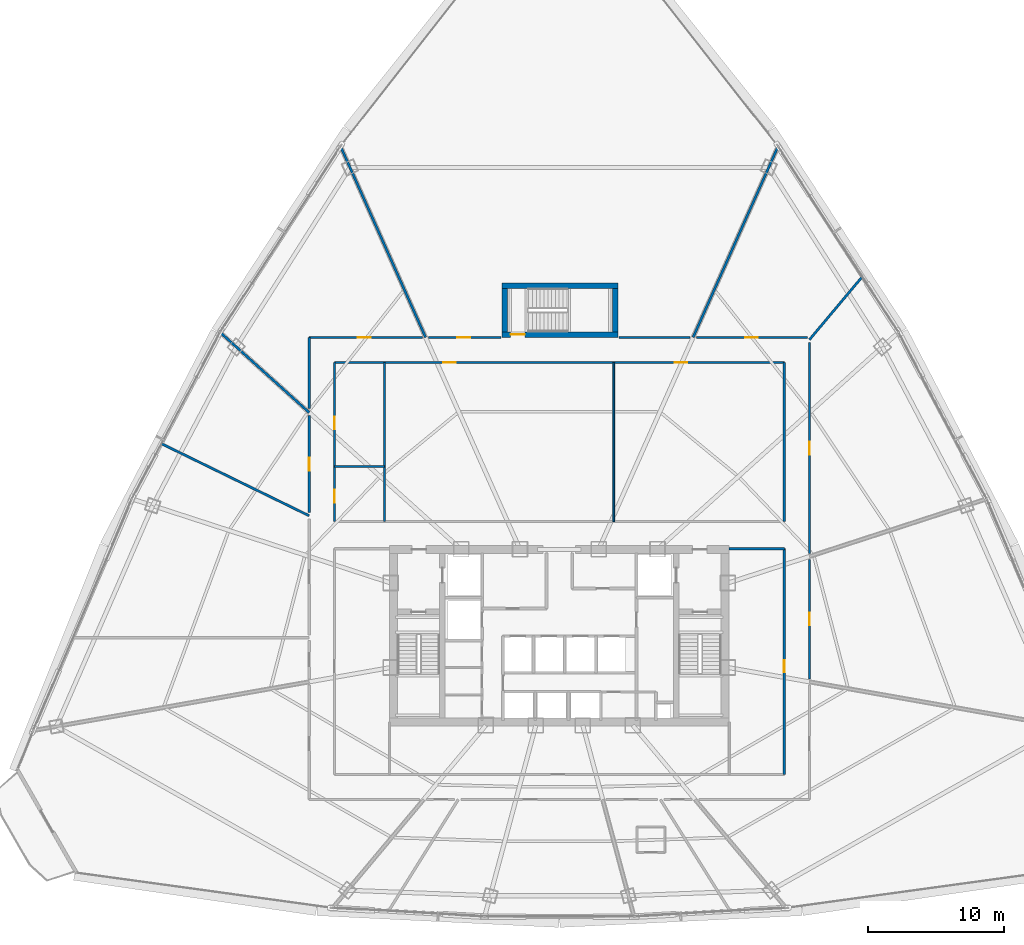
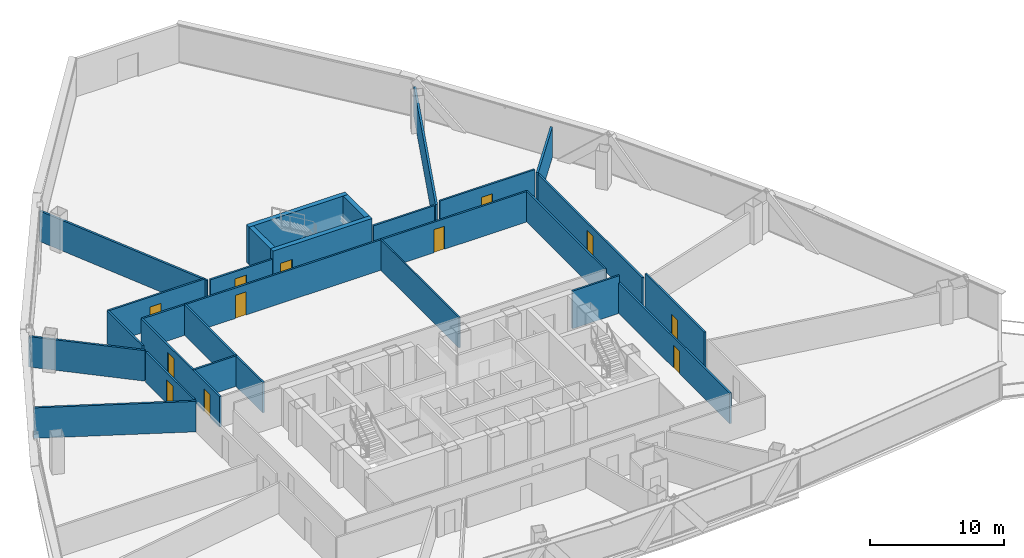
# One storey, part 34 of 39: 25 walls, 12 doors, 12 openings.
"""IFC4 building model written with IfcOpenShell, lengths in metres."""

from ifc_helpers import new_model, si_unit, direction, frame, frame_2d, origin, origin_with_axes, place, context, subcontext, project, spatial, rectangle, extrude, source, transform, mapped, material, layer, layer_set, type_object, element, fill, save


model = new_model("IFC4")

# Units and contexts
model_context = context("Model", 3, precision=1e-05, world=origin(), true_north=direction((0.0, 1.0)))
body_context = subcontext(model_context, "Body", "Model", "MODEL_VIEW")
ifc_project = project(units=[si_unit("LENGTHUNIT", "METRE"), si_unit("AREAUNIT", "SQUARE_METRE"), si_unit("VOLUMEUNIT", "CUBIC_METRE"), si_unit("PLANEANGLEUNIT", "RADIAN"), si_unit("MASSUNIT", "GRAM", prefix="KILO"), si_unit("THERMODYNAMICTEMPERATUREUNIT", "KELVIN"), si_unit("POWERUNIT", "WATT")], contexts=[model_context])

# Site, building, storey
site_placement = place(None, origin())
site = spatial("IfcSite", under=ifc_project, at=site_placement, CompositionType="ELEMENT")
building_placement = place(site_placement, origin())
building = spatial("IfcBuilding", under=site, at=building_placement, Name="Yunzhuo Pagoda Commons", CompositionType="ELEMENT")
storey_placement = place(building_placement, frame((0.0, 0.0, 140.8701171875)))
storey = spatial("IfcBuildingStorey", under=building, at=storey_placement, Name="L35", CompositionType="ELEMENT", Elevation=140.8701171875)

# Wall, openings, doors
ifc_material_1 = material(Name="Gypsum plasterboard on acoustic stud")
ifc_layer_1 = layer(ifc_material_1, 0.155029296875)
ifc_layer_set_1 = layer_set([ifc_layer_1], Name="Gypsum plasterboard on acoustic stud")
wall_type_1 = type_object("IfcWallType", Name="W-COR2 Mid-Zone Rated Corridor Wall 155", PredefinedType="PARTITIONING", material=ifc_layer_set_1)
wall_1_placement = place(storey_placement, frame((31.449951171875, 53.949951171875, 0.0), z_axis=(0.0, 0.0, 1.0), x_axis=(1.0, 0.0, 0.0)))
wall_1 = element("IfcWall", 1, at=wall_1_placement, inside=storey, type_object=wall_type_1, Name="L35 interior wall IW-L35-MCNN", PredefinedType="PARTITIONING", context=body_context, shape_type="SweptSolid", body=[
    extrude(rectangle(XDim=33.10009765625, YDim=0.155029296875, at=frame_2d((16.550048828125, 0.0))), origin(), (0.0, 0.0, 1.0), 2.769775390625),
])
opening_1_placement = place(wall_1_placement, frame((8.0, 0.0, 0.0)))
opening_1 = element("IfcOpeningElement", 2, at=opening_1_placement, cuts=wall_1, Name="Opening D-04", PredefinedType="OPENING", context=body_context, shape_type="SweptSolid", body=[
    extrude(rectangle(XDim=0.919921875, YDim=2.10009765625, at=frame_2d((0.4599609375, 1.050048828125))), frame((0.0, 0.08740234375, 0.0), z_axis=(0.0, -1.0, 0.0), x_axis=(1.0, 0.0, 0.0)), (0.0, 0.0, 1.0), 0.175048828125),
])
opening_2_placement = place(wall_1_placement, frame((25.050048828125, 0.0, 0.0)))
opening_2 = element("IfcOpeningElement", 3, at=opening_2_placement, cuts=wall_1, Name="Opening D-04", PredefinedType="OPENING", context=body_context, shape_type="SweptSolid", body=[
    extrude(rectangle(XDim=0.919921875, YDim=2.10009765625, at=frame_2d((0.4599609375, 1.050048828125))), frame((0.0, 0.08740234375, 0.0), z_axis=(0.0, -1.0, 0.0), x_axis=(1.0, 0.0, 0.0)), (0.0, 0.0, 1.0), 0.175048828125),
])
ifc_material_2 = material(Name="Powder-coated aluminium and timber acoustic leaf", Category="wood")
door_type_1 = type_object("IfcDoorType", Name="D-04 Bedroom & Study Interior Door 920x2100", OperationType="NOTDEFINED", PredefinedType="DOOR", material=ifc_material_2)
shared_shape_1 = source(origin(), body_context, "Body", "SweptSolid", [
    extrude(rectangle(XDim=0.919921875, YDim=2.10009765625, at=frame_2d((0.4599609375, 1.050048828125))), frame((0.0, 0.02490234375, 0.0), z_axis=(0.0, -1.0, 0.0), x_axis=(1.0, 0.0, 0.0)), (0.0, 0.0, 1.0), 0.050048828125),
])
door_1_placement = place(opening_1_placement, origin_with_axes())
door_1 = element("IfcDoor", 4, at=door_1_placement, inside=storey, type_object=door_type_1, Name="L35 reading commons door", OperationType="SINGLE_SWING_LEFT", OverallHeight=2.10009765625, OverallWidth=0.919921875, PredefinedType="DOOR", context=body_context, shape_type="MappedRepresentation", body=[
    mapped(shared_shape_1, transform((0.0, 0.0, 0.0), scale=1.0)),
])
fill(opening_1, door_1)
door_2_placement = place(opening_2_placement, origin_with_axes())
door_2 = element("IfcDoor", 5, at=door_2_placement, inside=storey, type_object=door_type_1, Name="L35 seminar commons door", OperationType="SINGLE_SWING_RIGHT", OverallHeight=2.10009765625, OverallWidth=0.919921875, PredefinedType="DOOR", context=body_context, shape_type="MappedRepresentation", body=[
    mapped(shared_shape_1, transform((0.0, 0.0, 0.0), scale=1.0)),
])
fill(opening_2, door_2)

wall_2_placement = place(storey_placement, frame((31.449951171875, 42.25, 0.0), z_axis=(0.0, 0.0, 1.0), x_axis=(0.0, 1.0, 0.0)))
wall_2 = element("IfcWall", 6, at=wall_2_placement, inside=storey, type_object=wall_type_1, Name="L35 interior wall IW-L35-MCNW", PredefinedType="PARTITIONING", context=body_context, shape_type="SweptSolid", body=[
    extrude(rectangle(XDim=11.699951171875, YDim=0.155029296875, at=frame_2d((5.85009765625, 0.0))), origin(), (0.0, 0.0, 1.0), 2.769775390625),
])
opening_3_placement = place(wall_2_placement, frame((1.39990234375, 0.0, 0.0)))
opening_3 = element("IfcOpeningElement", 7, at=opening_3_placement, cuts=wall_2, Name="Opening D-11", PredefinedType="OPENING", context=body_context, shape_type="SweptSolid", body=[
    extrude(rectangle(XDim=0.93994140625, YDim=2.10009765625, at=frame_2d((0.469970703125, 1.050048828125))), frame((0.0, 0.08740234375, 0.0), z_axis=(0.0, -1.0, 0.0), x_axis=(1.0, 0.0, 0.0)), (0.0, 0.0, 1.0), 0.175048828125),
])
opening_4_placement = place(wall_2_placement, frame((6.800048828125, 0.0, 0.0)))
opening_4 = element("IfcOpeningElement", 8, at=opening_4_placement, cuts=wall_2, Name="Opening D-04", PredefinedType="OPENING", context=body_context, shape_type="SweptSolid", body=[
    extrude(rectangle(XDim=0.919921875, YDim=2.10009765625, at=frame_2d((0.4599609375, 1.050048828125))), frame((0.0, 0.08740234375, 0.0), z_axis=(0.0, -1.0, 0.0), x_axis=(1.0, 0.0, 0.0)), (0.0, 0.0, 1.0), 0.175048828125),
])
ifc_material_3 = material(Name="Galvanized fire-resisting metal leaf")
door_type_2 = type_object("IfcDoorType", Name="D-11 Accessible Washroom Fire Door 940x2100", OperationType="NOTDEFINED", PredefinedType="DOOR", material=ifc_material_3)
shared_shape_2 = source(origin(), body_context, "Body", "SweptSolid", [
    extrude(rectangle(XDim=0.93994140625, YDim=2.10009765625, at=frame_2d((0.469970703125, 1.050048828125))), frame((0.0, 0.02490234375, 0.0), z_axis=(0.0, -1.0, 0.0), x_axis=(1.0, 0.0, 0.0)), (0.0, 0.0, 1.0), 0.050048828125),
])
door_3_placement = place(opening_3_placement, origin_with_axes())
door_3 = element("IfcDoor", 9, at=door_3_placement, inside=storey, type_object=door_type_2, Name="L35 accessible WC door", OperationType="SINGLE_SWING_LEFT", OverallHeight=2.10009765625, OverallWidth=0.93994140625, PredefinedType="DOOR", context=body_context, shape_type="MappedRepresentation", body=[
    mapped(shared_shape_2, transform((0.0, 0.0, 0.0), scale=1.0)),
])
fill(opening_3, door_3)
door_4_placement = place(opening_4_placement, origin_with_axes())
door_4 = element("IfcDoor", 10, at=door_4_placement, inside=storey, type_object=door_type_1, Name="L35 laundry door", OperationType="SINGLE_SWING_RIGHT", OverallHeight=2.10009765625, OverallWidth=0.919921875, PredefinedType="DOOR", context=body_context, shape_type="MappedRepresentation", body=[
    mapped(shared_shape_1, transform((0.0, 0.0, 0.0), scale=1.0)),
])
fill(opening_4, door_4)

# Walls
for number, where, z_axis, x_axis, name in (
    (11, (64.550048828125, 42.25, 0.0), (0.0, 0.0, 1.0), (0.0, 1.0, 0.0), "L35 interior wall IW-L35-MCNE"),
    (12, (35.14990234375, 42.25, 0.0), (0.0, 0.0, 1.0), (0.0, 1.0, 0.0), "L35 interior wall IW-L35-MCWCE"),
):
    element("IfcWall", number, at=place(storey_placement, frame(where, z_axis=z_axis, x_axis=x_axis)), inside=storey, type_object=wall_type_1, Name=name, PredefinedType="PARTITIONING", context=body_context, shape_type="SweptSolid", body=[
        extrude(rectangle(XDim=11.699951171875, YDim=0.155029296875, at=frame_2d((5.85009765625, 0.0))), origin(), (0.0, 0.0, 1.0), 2.769775390625),
    ])
wall_3_placement = place(storey_placement, frame((31.449951171875, 46.300048828125, 0.0), z_axis=(0.0, 0.0, 1.0), x_axis=(1.0, 0.0, 0.0)))
element("IfcWall", 13, at=wall_3_placement, inside=storey, type_object=wall_type_1, Name="L35 interior wall IW-L35-MCWCN", PredefinedType="PARTITIONING", context=body_context, shape_type="SweptSolid", body=[
    extrude(rectangle(XDim=3.699951171875, YDim=0.155029296875, at=frame_2d((1.85009765625, 0.0))), origin(), (0.0, 0.0, 1.0), 2.769775390625),
])

# Wall, opening, door
wall_4_placement = place(storey_placement, frame((64.550048828125, 23.64990234375, 0.0), z_axis=(0.0, 0.0, 1.0), x_axis=(0.0, 1.0, 0.0)))
wall_4 = element("IfcWall", 14, at=wall_4_placement, inside=storey, type_object=wall_type_1, Name="L35 interior wall IW-L35-SFLE", PredefinedType="PARTITIONING", context=body_context, shape_type="SweptSolid", body=[
    extrude(rectangle(XDim=16.60009765625, YDim=0.155029296875, at=frame_2d((8.300048828125, 0.0))), origin(), (0.0, 0.0, 1.0), 2.769775390625),
])
opening_5_placement = place(wall_4_placement, frame((7.5, 0.0, 0.0)))
opening_5 = element("IfcOpeningElement", 15, at=opening_5_placement, cuts=wall_4, Name="Opening D-12", PredefinedType="OPENING", context=body_context, shape_type="SweptSolid", body=[
    extrude(rectangle(XDim=0.89990234375, YDim=2.080078125, at=frame_2d((0.449951171875, 1.0400390625))), frame((0.0, 0.08740234375, 0.0), z_axis=(0.0, -1.0, 0.0), x_axis=(1.0, 0.0, 0.0)), (0.0, 0.0, 1.0), 0.175048828125),
])
door_type_3 = type_object("IfcDoorType", Name="D-12 Quiet Study Interior Door 900x2080", OperationType="NOTDEFINED", PredefinedType="DOOR", material=ifc_material_2)
shared_shape_3 = source(origin(), body_context, "Body", "SweptSolid", [
    extrude(rectangle(XDim=0.89990234375, YDim=2.080078125, at=frame_2d((0.449951171875, 1.0400390625))), frame((0.0, 0.02490234375, 0.0), z_axis=(0.0, -1.0, 0.0), x_axis=(1.0, 0.0, 0.0)), (0.0, 0.0, 1.0), 0.050048828125),
])
door_5_placement = place(opening_5_placement, frame((0.89990234375, 0.0, 0.0), z_axis=(0.0, 0.0, 1.0), x_axis=(-1.0, 0.0, 0.0)))
door_5 = element("IfcDoor", 16, at=door_5_placement, inside=storey, type_object=door_type_3, Name="L35 east study workroom door", OperationType="SINGLE_SWING_RIGHT", OverallHeight=2.080078125, OverallWidth=0.89990234375, PredefinedType="DOOR", context=body_context, shape_type="MappedRepresentation", body=[
    mapped(shared_shape_3, transform((0.0, 0.0, 0.0), scale=1.0)),
])
fill(opening_5, door_5)

# Wall
wall_5_placement = place(storey_placement, frame((60.5, 40.25, 0.0), z_axis=(0.0, 0.0, 1.0), x_axis=(1.0, 0.0, 0.0)))
element("IfcWall", 17, at=wall_5_placement, inside=storey, type_object=wall_type_1, Name="L35 interior wall IW-L35-SFLNE", PredefinedType="PARTITIONING", context=body_context, shape_type="SweptSolid", body=[
    extrude(rectangle(XDim=4.050048828125, YDim=0.155029296875, at=frame_2d((2.02490234375, 0.0))), origin(), (0.0, 0.0, 1.0), 3.419921875),
])

# Wall, opening, door
wall_6_placement = place(storey_placement, frame((29.60009765625, 42.919189453125, 0.0), z_axis=(0.0, 0.0, 1.0), x_axis=(0.0, 1.0, 0.0)))
wall_6 = element("IfcWall", 18, at=wall_6_placement, inside=storey, type_object=wall_type_1, Name="L35 interior wall IW-L35-CWL04", PredefinedType="PARTITIONING", context=body_context, shape_type="SweptSolid", body=[
    extrude(rectangle(XDim=7.12841796875, YDim=0.155029296875, at=frame_2d((3.564208984375, 0.0))), origin(), (0.0, 0.0, 1.0), 2.769775390625),
])
opening_6_placement = place(wall_6_placement, frame((3.07666015625, 0.0, 0.0)))
opening_6 = element("IfcOpeningElement", 19, at=opening_6_placement, cuts=wall_6, Name="Opening D-07", PredefinedType="OPENING", context=body_context, shape_type="SweptSolid", body=[
    extrude(rectangle(XDim=0.9599609375, YDim=2.1201171875, at=frame_2d((0.47998046875, 1.06005859375))), frame((0.0, 0.08740234375, 0.0), z_axis=(0.0, -1.0, 0.0), x_axis=(1.0, 0.0, 0.0)), (0.0, 0.0, 1.0), 0.175048828125),
])
door_type_4 = type_object("IfcDoorType", Name="D-07 Mid-Zone Suite Entrance Fire Door 960x2120", OperationType="NOTDEFINED", PredefinedType="DOOR", material=ifc_material_3)
shared_shape_4 = source(origin(), body_context, "Body", "SweptSolid", [
    extrude(rectangle(XDim=0.9599609375, YDim=2.1201171875, at=frame_2d((0.47998046875, 1.06005859375))), frame((0.0, 0.02490234375, 0.0), z_axis=(0.0, -1.0, 0.0), x_axis=(1.0, 0.0, 0.0)), (0.0, 0.0, 1.0), 0.050048828125),
])
door_6_placement = place(opening_6_placement, origin_with_axes())
door_6 = element("IfcDoor", 20, at=door_6_placement, inside=storey, type_object=door_type_4, Name="L35 unit 06 entrance door", OperationType="SINGLE_SWING_LEFT", OverallHeight=2.1201171875, OverallWidth=0.9599609375, PredefinedType="DOOR", context=body_context, shape_type="MappedRepresentation", body=[
    mapped(shared_shape_4, transform((0.0, 0.0, 0.0), scale=1.0)),
])
fill(opening_6, door_6)

# Wall
wall_7_placement = place(storey_placement, frame((29.60009765625, 50.5634765625, 0.0), z_axis=(0.0, 0.0, 1.0), x_axis=(0.0, 1.0, 0.0)))
element("IfcWall", 21, at=wall_7_placement, inside=storey, type_object=wall_type_1, Name="L35 interior wall IW-L35-CWL05", PredefinedType="PARTITIONING", context=body_context, shape_type="SweptSolid", body=[
    extrude(rectangle(XDim=5.236572265625, YDim=0.155029296875, at=frame_2d((2.6181640625, 0.0))), origin(), (0.0, 0.0, 1.0), 3.019775390625),
])

# Wall, opening, door
wall_8_placement = place(storey_placement, frame((29.60009765625, 55.800048828125, 0.0), z_axis=(0.0, 0.0, 1.0), x_axis=(1.0, 0.0, 0.0)))
wall_8 = element("IfcWall", 22, at=wall_8_placement, inside=storey, type_object=wall_type_1, Name="L35 interior wall IW-L35-CWL06", PredefinedType="PARTITIONING", context=body_context, shape_type="SweptSolid", body=[
    extrude(rectangle(XDim=8.319580078125, YDim=0.155029296875, at=frame_2d((4.15966796875, 0.0))), origin(), (0.0, 0.0, 1.0), 3.019775390625),
])
opening_7_placement = place(wall_8_placement, frame((3.5751953125, 0.0, 0.0)))
opening_7 = element("IfcOpeningElement", 23, at=opening_7_placement, cuts=wall_8, Name="Opening D-07", PredefinedType="OPENING", context=body_context, shape_type="SweptSolid", body=[
    extrude(rectangle(XDim=0.9599609375, YDim=2.1201171875, at=frame_2d((0.47998046875, 1.06005859375))), frame((0.0, 0.08740234375, 0.0), z_axis=(0.0, -1.0, 0.0), x_axis=(1.0, 0.0, 0.0)), (0.0, 0.0, 1.0), 0.175048828125),
])
door_7_placement = place(opening_7_placement, origin_with_axes())
door_7 = element("IfcDoor", 24, at=door_7_placement, inside=storey, type_object=door_type_4, Name="L35 unit 05 entrance door", OperationType="SINGLE_SWING_RIGHT", OverallHeight=2.1201171875, OverallWidth=0.9599609375, PredefinedType="DOOR", context=body_context, shape_type="MappedRepresentation", body=[
    mapped(shared_shape_4, transform((0.0, 0.0, 0.0), scale=1.0)),
])
fill(opening_7, door_7)

wall_9_placement = place(storey_placement, frame((38.380126953125, 55.800048828125, 0.0), z_axis=(0.0, 0.0, 1.0), x_axis=(1.0, 0.0, 0.0)))
wall_9 = element("IfcWall", 25, at=wall_9_placement, inside=storey, type_object=wall_type_1, Name="L35 interior wall IW-L35-CWL07", PredefinedType="PARTITIONING", context=body_context, shape_type="SweptSolid", body=[
    extrude(rectangle(XDim=5.328857421875, YDim=0.155029296875, at=frame_2d((2.66455078125, 0.0))), origin(), (0.0, 0.0, 1.0), 2.769775390625),
])
opening_8_placement = place(wall_9_placement, frame((2.114990234375, 0.0, 0.0)))
opening_8 = element("IfcOpeningElement", 26, at=opening_8_placement, cuts=wall_9, Name="Opening D-07", PredefinedType="OPENING", context=body_context, shape_type="SweptSolid", body=[
    extrude(rectangle(XDim=0.9599609375, YDim=2.1201171875, at=frame_2d((0.47998046875, 1.06005859375))), frame((0.0, 0.08740234375, 0.0), z_axis=(0.0, -1.0, 0.0), x_axis=(1.0, 0.0, 0.0)), (0.0, 0.0, 1.0), 0.175048828125),
])
door_8_placement = place(opening_8_placement, origin_with_axes())
door_8 = element("IfcDoor", 27, at=door_8_placement, inside=storey, type_object=door_type_4, Name="L35 unit 04 entrance door", OperationType="SINGLE_SWING_LEFT", OverallHeight=2.1201171875, OverallWidth=0.9599609375, PredefinedType="DOOR", context=body_context, shape_type="MappedRepresentation", body=[
    mapped(shared_shape_4, transform((0.0, 0.0, 0.0), scale=1.0)),
])
fill(opening_8, door_8)

# Wall
wall_10_placement = place(storey_placement, frame((52.39111328125, 55.800048828125, 0.0), z_axis=(0.0, 0.0, 1.0), x_axis=(1.0, 0.0, 0.0)))
element("IfcWall", 28, at=wall_10_placement, inside=storey, type_object=wall_type_1, Name="L35 interior wall IW-L35-CWL08", PredefinedType="PARTITIONING", context=body_context, shape_type="SweptSolid", body=[
    extrude(rectangle(XDim=5.228759765625, YDim=0.155029296875, at=frame_2d((2.6142578125, 0.0))), origin(), (0.0, 0.0, 1.0), 2.769775390625),
])

# Wall, opening, door
wall_11_placement = place(storey_placement, frame((58.080322265625, 55.800048828125, 0.0), z_axis=(0.0, 0.0, 1.0), x_axis=(1.0, 0.0, 0.0)))
wall_11 = element("IfcWall", 29, at=wall_11_placement, inside=storey, type_object=wall_type_1, Name="L35 interior wall IW-L35-CWL09", PredefinedType="PARTITIONING", context=body_context, shape_type="SweptSolid", body=[
    extrude(rectangle(XDim=8.176513671875, YDim=0.155029296875, at=frame_2d((4.08837890625, 0.0))), origin(), (0.0, 0.0, 1.0), 3.019775390625),
])
opening_9_placement = place(wall_11_placement, frame((3.59619140625, 0.0, 0.0)))
opening_9 = element("IfcOpeningElement", 30, at=opening_9_placement, cuts=wall_11, Name="Opening D-04", PredefinedType="OPENING", context=body_context, shape_type="SweptSolid", body=[
    extrude(rectangle(XDim=0.919921875, YDim=2.10009765625, at=frame_2d((0.4599609375, 1.050048828125))), frame((0.0, 0.08740234375, 0.0), z_axis=(0.0, -1.0, 0.0), x_axis=(1.0, 0.0, 0.0)), (0.0, 0.0, 1.0), 0.175048828125),
])
door_9_placement = place(opening_9_placement, origin_with_axes())
door_9 = element("IfcDoor", 31, at=door_9_placement, inside=storey, type_object=door_type_1, Name="L35 seminar room 03 door", OperationType="SINGLE_SWING_RIGHT", OverallHeight=2.10009765625, OverallWidth=0.919921875, PredefinedType="DOOR", context=body_context, shape_type="MappedRepresentation", body=[
    mapped(shared_shape_1, transform((0.0, 0.0, 0.0), scale=1.0)),
])
fill(opening_9, door_9)

wall_12_placement = place(storey_placement, frame((66.39990234375, 55.408447265625, 0.0), z_axis=(0.0, 0.0, 1.0), x_axis=(0.0, -1.0, 0.0)))
wall_12 = element("IfcWall", 32, at=wall_12_placement, inside=storey, type_object=wall_type_1, Name="L35 interior wall IW-L35-CWL10", PredefinedType="PARTITIONING", context=body_context, shape_type="SweptSolid", body=[
    extrude(rectangle(XDim=15.49853515625, YDim=0.155029296875, at=frame_2d((7.749267578125, 0.0))), origin(), (0.0, 0.0, 1.0), 2.769775390625),
])
opening_10_placement = place(wall_12_placement, frame((7.280029296875, 0.0, 0.0)))
opening_10 = element("IfcOpeningElement", 33, at=opening_10_placement, cuts=wall_12, Name="Opening D-07", PredefinedType="OPENING", context=body_context, shape_type="SweptSolid", body=[
    extrude(rectangle(XDim=0.9599609375, YDim=2.1201171875, at=frame_2d((0.47998046875, 1.06005859375))), frame((0.0, 0.08740234375, 0.0), z_axis=(0.0, -1.0, 0.0), x_axis=(1.0, 0.0, 0.0)), (0.0, 0.0, 1.0), 0.175048828125),
])
door_10_placement = place(opening_10_placement, origin_with_axes())
door_10 = element("IfcDoor", 34, at=door_10_placement, inside=storey, type_object=door_type_4, Name="L35 Shared Resident Kitchen and Pantry door", OperationType="SINGLE_SWING_LEFT", OverallHeight=2.1201171875, OverallWidth=0.9599609375, PredefinedType="DOOR", context=body_context, shape_type="MappedRepresentation", body=[
    mapped(shared_shape_4, transform((0.0, 0.0, 0.0), scale=1.0)),
])
fill(opening_10, door_10)

wall_13_placement = place(storey_placement, frame((66.39990234375, 39.458740234375, 0.0), z_axis=(0.0, 0.0, 1.0), x_axis=(0.0, -1.0, 0.0)))
wall_13 = element("IfcWall", 35, at=wall_13_placement, inside=storey, type_object=wall_type_1, Name="L35 interior wall IW-L35-CWL11", PredefinedType="PARTITIONING", context=body_context, shape_type="SweptSolid", body=[
    extrude(rectangle(XDim=8.783447265625, YDim=0.155029296875, at=frame_2d((4.3916015625, 0.0))), origin(), (0.0, 0.0, 1.0), 3.419921875),
])
opening_11_placement = place(wall_13_placement, frame((3.931640625, 0.0, 0.0)))
opening_11 = element("IfcOpeningElement", 36, at=opening_11_placement, cuts=wall_13, Name="Opening D-04", PredefinedType="OPENING", context=body_context, shape_type="SweptSolid", body=[
    extrude(rectangle(XDim=0.919921875, YDim=2.10009765625, at=frame_2d((0.4599609375, 1.050048828125))), frame((0.0, 0.08740234375, 0.0), z_axis=(0.0, -1.0, 0.0), x_axis=(1.0, 0.0, 0.0)), (0.0, 0.0, 1.0), 0.175048828125),
])
door_11_placement = place(opening_11_placement, origin_with_axes())
door_11 = element("IfcDoor", 37, at=door_11_placement, inside=storey, type_object=door_type_1, Name="L35 seminar room 01 door", OperationType="SINGLE_SWING_RIGHT", OverallHeight=2.10009765625, OverallWidth=0.919921875, PredefinedType="DOOR", context=body_context, shape_type="MappedRepresentation", body=[
    mapped(shared_shape_1, transform((0.0, 0.0, 0.0), scale=1.0)),
])
fill(opening_11, door_11)

# Walls
ifc_layer_2 = layer(ifc_material_1, 0.1201171875)
ifc_layer_set_2 = layer_set([ifc_layer_2], Name="Gypsum plasterboard on acoustic stud")
wall_type_2 = type_object("IfcWallType", Name="W-PRT1 Suite & Bathroom Partition 120", PredefinedType="PARTITIONING", material=ifc_layer_set_2)
wall_14_placement = place(storey_placement, frame((52.0, 42.25, 0.0), z_axis=(0.0, 0.0, 1.0), x_axis=(0.0, 1.0, 0.0)))
element("IfcWall", 38, at=wall_14_placement, inside=storey, type_object=wall_type_2, Name="L35 interior wall IW-L35-MCDIV", PredefinedType="PARTITIONING", context=body_context, shape_type="SweptSolid", body=[
    extrude(rectangle(XDim=11.699951171875, YDim=0.1201171875, at=frame_2d((5.85009765625, 0.0))), origin(), (0.0, 0.0, 1.0), 2.769775390625),
])
ifc_layer_3 = layer(ifc_material_1, 0.175048828125)
ifc_layer_set_3 = layer_set([ifc_layer_3], Name="Gypsum plasterboard on acoustic stud")
wall_type_3 = type_object("IfcWallType", Name="W-PRT3 Mid-Zone Demising Wall 175", PredefinedType="PARTITIONING", material=ifc_layer_set_3)
wall_15_placement = place(storey_placement, frame((66.39990234375, 55.62841796875, 0.0), z_axis=(0.0, 0.0, 1.0), x_axis=(0.642804736834, 0.766030071409, 0.0)))
element("IfcWall", 39, at=wall_15_placement, inside=storey, type_object=wall_type_3, Name="L35 interior wall IW-L35-RAD02", PredefinedType="PARTITIONING", context=body_context, shape_type="SweptSolid", body=[
    extrude(rectangle(XDim=6.076416015625, YDim=0.175048828125, at=frame_2d((3.0380859375, 0.0))), origin(), (0.0, 0.0, 1.0), 2.769775390625),
])
for number, where, z_axis, x_axis, name in (
    (40, (57.839599609375, 55.800048828125, 0.0), (0.0, 0.0, 1.0), (0.406735812773, 0.913545827317, 0.0), "L35 interior wall IW-L35-RAD03"),
    (41, (38.160400390625, 55.800048828125, 0.0), (0.0, 0.0, 1.0), (-0.406735812773, 0.913545827317, 0.0), "L35 interior wall IW-L35-RAD04"),
):
    element("IfcWall", number, at=place(storey_placement, frame(where, z_axis=z_axis, x_axis=x_axis)), inside=storey, type_object=wall_type_3, Name=name, PredefinedType="PARTITIONING", context=body_context, shape_type="SweptSolid", body=[
        extrude(rectangle(XDim=15.393798828125, YDim=0.175048828125, at=frame_2d((7.69677734375, 0.0))), origin(), (0.0, 0.0, 1.0), 2.769775390625),
    ])
wall_16_placement = place(storey_placement, frame((29.60009765625, 50.267333984375, 0.0), z_axis=(0.0, 0.0, 1.0), x_axis=(-0.743144335498, 0.669131150535, 0.0)))
element("IfcWall", 42, at=wall_16_placement, inside=storey, type_object=wall_type_3, Name="L35 interior wall IW-L35-RAD05", PredefinedType="PARTITIONING", context=body_context, shape_type="SweptSolid", body=[
    extrude(rectangle(XDim=8.833740234375, YDim=0.175048828125, at=frame_2d((4.4169921875, 0.0))), origin(), (0.0, 0.0, 1.0), 2.769775390625),
])
wall_17_placement = place(storey_placement, frame((29.60009765625, 42.67431640625, 0.0), z_axis=(0.0, 0.0, 1.0), x_axis=(-0.898797277455, 0.438364521875, 0.0)))
element("IfcWall", 43, at=wall_17_placement, inside=storey, type_object=wall_type_3, Name="L35 interior wall IW-L35-RAD06", PredefinedType="PARTITIONING", context=body_context, shape_type="SweptSolid", body=[
    extrude(rectangle(XDim=12.125, YDim=0.175048828125, at=frame_2d((6.0625, 0.0))), origin(), (0.0, 0.0, 1.0), 2.769775390625),
])
ifc_material_4 = material(Name="Concrete C60", Category="concrete")
ifc_layer_4 = layer(ifc_material_4, 0.39990234375)
ifc_layer_set_4 = layer_set([ifc_layer_4], Name="Concrete C60")
wall_type_4 = type_object("IfcWallType", Name="W-S01 Internal Core Shear Web 400", PredefinedType="SHEAR", material=ifc_layer_set_4)
wall_18_placement = place(storey_placement, frame((43.800048828125, 59.60009765625, 0.0), z_axis=(0.0, 0.0, 1.0), x_axis=(1.0, 0.0, 0.0)))
element("IfcWall", 44, at=wall_18_placement, inside=storey, type_object=wall_type_4, Name="L35 ST3 structural stair wall N", PredefinedType="SHEAR", context=body_context, shape_type="SweptSolid", body=[
    extrude(rectangle(XDim=8.5, YDim=0.39990234375, at=frame_2d((4.25, 0.0))), origin(), (0.0, 0.0, 1.0), 3.419921875),
])

# Wall, opening, door
wall_19_placement = place(storey_placement, frame((43.800048828125, 56.0, 0.0), z_axis=(0.0, 0.0, 1.0), x_axis=(1.0, 0.0, 0.0)))
wall_19 = element("IfcWall", 45, at=wall_19_placement, inside=storey, type_object=wall_type_4, Name="L35 ST3 structural stair wall S", PredefinedType="SHEAR", context=body_context, shape_type="SweptSolid", body=[
    extrude(rectangle(XDim=8.5, YDim=0.39990234375, at=frame_2d((4.25, 0.0))), origin(), (0.0, 0.0, 1.0), 3.419921875),
])
opening_12_placement = place(wall_19_placement, frame((0.6201171875, 0.0, 0.0)))
opening_12 = element("IfcOpeningElement", 46, at=opening_12_placement, cuts=wall_19, Name="Opening D-01", PredefinedType="OPENING", context=body_context, shape_type="SweptSolid", body=[
    extrude(rectangle(XDim=1.050048828125, YDim=2.10009765625, at=frame_2d((0.52490234375, 1.050048828125))), frame((0.0, 0.2099609375, 0.0), z_axis=(0.0, -1.0, 0.0), x_axis=(1.0, 0.0, 0.0)), (0.0, 0.0, 1.0), 0.419921875),
])
door_type_5 = type_object("IfcDoorType", Name="D-01 Smokeproof Stair Fire Door 1050x2100", OperationType="NOTDEFINED", PredefinedType="DOOR", material=ifc_material_3)
shared_shape_5 = source(origin(), body_context, "Body", "SweptSolid", [
    extrude(rectangle(XDim=1.050048828125, YDim=2.10009765625, at=frame_2d((0.52490234375, 1.050048828125))), frame((0.0, 0.02490234375, 0.0), z_axis=(0.0, -1.0, 0.0), x_axis=(1.0, 0.0, 0.0)), (0.0, 0.0, 1.0), 0.050048828125),
])
door_12_placement = place(opening_12_placement, frame((1.050048828125, 0.0, 0.0), z_axis=(0.0, 0.0, 1.0), x_axis=(-1.0, 0.0, 0.0)))
door_12 = element("IfcDoor", 47, at=door_12_placement, inside=storey, type_object=door_type_5, Name="L35 Stair ST3 fire door", OperationType="SINGLE_SWING_LEFT", OverallHeight=2.10009765625, OverallWidth=1.050048828125, PredefinedType="DOOR", context=body_context, shape_type="MappedRepresentation", body=[
    mapped(shared_shape_5, transform((0.0, 0.0, 0.0), scale=1.0)),
])
fill(opening_12, door_12)

# Walls
for number, where, z_axis, x_axis, name in (
    (48, (44.0, 56.199951171875, 0.0), (0.0, 0.0, 1.0), (0.0, 1.0, 0.0), "L35 ST3 structural stair wall W"),
    (49, (52.10009765625, 56.199951171875, 0.0), (0.0, 0.0, 1.0), (0.0, 1.0, 0.0), "L35 ST3 structural stair wall E"),
):
    element("IfcWall", number, at=place(storey_placement, frame(where, z_axis=z_axis, x_axis=x_axis)), inside=storey, type_object=wall_type_4, Name=name, PredefinedType="SHEAR", context=body_context, shape_type="SweptSolid", body=[
        extrude(rectangle(XDim=3.199951171875, YDim=0.39990234375, at=frame_2d((1.60009765625, 0.0))), origin(), (0.0, 0.0, 1.0), 3.419921875),
    ])

save(model, "model.ifc")
